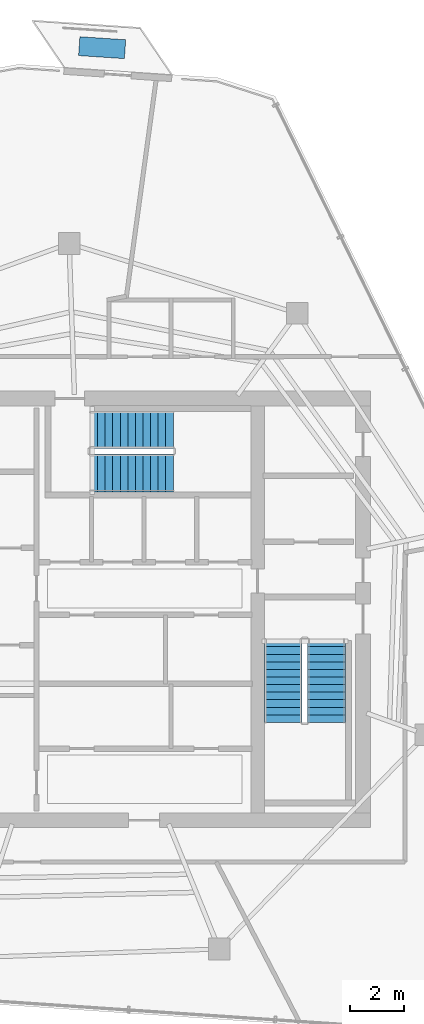
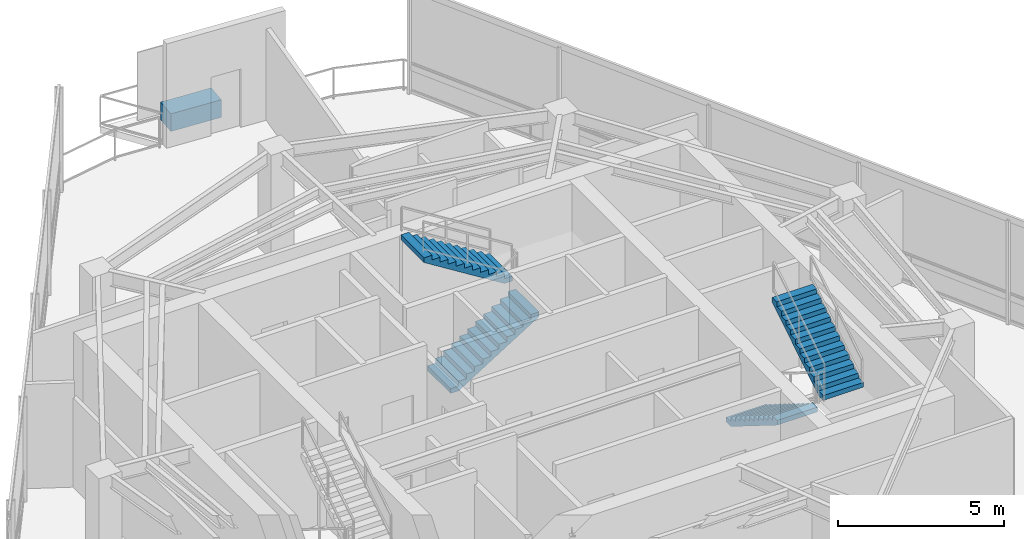
# One storey, part 16 of 18: 4 stair flights, 1 discrete accessory, 2 elements without a shape of their own.
"""IFC4 building model written with IfcOpenShell, lengths in metres."""

from ifc_helpers import new_model, si_unit, direction, frame, origin, origin_2d, place, context, subcontext, project, spatial, polyline, rectangle, outline, extrude, material, type_object, element, aggregate, save


model = new_model("IFC4")

# Units and contexts
model_context = context("Model", 3, precision=1e-05, world=origin(), true_north=direction((0.0, 1.0)))
body_context = subcontext(model_context, "Body", "Model", "MODEL_VIEW")
ifc_project = project(units=[si_unit("LENGTHUNIT", "METRE"), si_unit("AREAUNIT", "SQUARE_METRE"), si_unit("VOLUMEUNIT", "CUBIC_METRE"), si_unit("PLANEANGLEUNIT", "RADIAN"), si_unit("MASSUNIT", "GRAM", prefix="KILO")], contexts=[model_context])

# Site, building, storey
site_placement = place(None, origin())
site = spatial("IfcSite", under=ifc_project, at=site_placement, CompositionType="ELEMENT")
building_placement = place(site_placement, origin())
building = spatial("IfcBuilding", under=site, at=building_placement, Name="Qarnah Convention Tower", CompositionType="ELEMENT")
storey_placement = place(building_placement, frame((0.0, 0.0, 279.300048828125)))
storey = spatial("IfcBuildingStorey", under=building, at=storey_placement, Name="L75", CompositionType="ELEMENT", Elevation=279.300048828125)

# Stair, stair flights
ifc_material_1 = material(Name="Concrete C50/60", Category="concrete")
stair_type = type_object("IfcStairType", Name="STR-SUM", PredefinedType="HALF_TURN_STAIR", material=ifc_material_1)
stair_1_placement = place(storey_placement, origin())
stair_1 = element("IfcStair", 1, at=stair_1_placement, inside=storey, type_object=stair_type, Name="L75 Core exit stair ST-2", PredefinedType="HALF_TURN_STAIR")
stair_flight_type = type_object("IfcStairFlightType", Name="FLT-SUM", PredefinedType="STRAIGHT", material=ifc_material_1)
stair_flight_1_placement = place(storey_placement, frame((44.64990234375, 25.300048828125, 0.0), z_axis=(0.0, 0.0, 1.0), x_axis=(0.0, -1.0, 0.0)))
stair_flight_1 = element("IfcStairFlight", 2, at=stair_flight_1_placement, type_object=stair_flight_type, Name="ST-2 flight 1", NumberOfRisers=12, NumberOfTreads=11, PredefinedType="STRAIGHT", RiserHeight=0.175, TreadLength=0.28, context=body_context, shape_type="SweptSolid", body=[
    extrude(outline(polyline([(0.0, 0.0), (0.0, 0.175048828125), (0.280029296875, 0.175048828125), (0.280029296875, 0.35009765625), (0.56005859375, 0.35009765625), (0.56005859375, 0.52490234375), (0.840087890625, 0.52490234375), (0.840087890625, 0.699951171875), (1.1201171875, 0.699951171875), (1.1201171875, 0.875), (1.39990234375, 0.875), (1.39990234375, 1.050048828125), (1.679931640625, 1.050048828125), (1.679931640625, 1.22509765625), (1.9599609375, 1.22509765625), (1.9599609375, 1.39990234375), (2.239990234375, 1.39990234375), (2.239990234375, 1.574951171875), (2.52001953125, 1.574951171875), (2.52001953125, 1.75), (2.800048828125, 1.75), (2.800048828125, 1.925048828125), (3.080078125, 1.925048828125), (3.080078125, 2.10009765625), (3.080078125, 1.748291015625), (0.28271484375, 0.0), (0.0, 0.0)])), frame((0.0, 0.699951171875, 0.0), z_axis=(0.0, -1.0, 0.0), x_axis=(1.0, 0.0, 0.0)), (0.0, 0.0, 1.0), 1.39990234375),
])
stair_flight_2_placement = place(storey_placement, frame((46.25, 22.219970703125, 2.099853515625), z_axis=(0.0, 0.0, 1.0), x_axis=(0.0, 1.0, 0.0)))
stair_flight_2 = element("IfcStairFlight", 3, at=stair_flight_2_placement, type_object=stair_flight_type, Name="ST-2 flight 2", NumberOfRisers=12, NumberOfTreads=11, PredefinedType="STRAIGHT", RiserHeight=0.175, TreadLength=0.28, context=body_context, shape_type="SweptSolid", body=[
    extrude(outline(polyline([(0.0, 0.0), (0.0, 0.175048828125), (0.280029296875, 0.175048828125), (0.280029296875, 0.35009765625), (0.56005859375, 0.35009765625), (0.56005859375, 0.52490234375), (0.840087890625, 0.52490234375), (0.840087890625, 0.699951171875), (1.1201171875, 0.699951171875), (1.1201171875, 0.875), (1.39990234375, 0.875), (1.39990234375, 1.050048828125), (1.679931640625, 1.050048828125), (1.679931640625, 1.22509765625), (1.9599609375, 1.22509765625), (1.9599609375, 1.39990234375), (2.239990234375, 1.39990234375), (2.239990234375, 1.574951171875), (2.52001953125, 1.574951171875), (2.52001953125, 1.75), (2.800048828125, 1.75), (2.800048828125, 1.925048828125), (3.080078125, 1.925048828125), (3.080078125, 2.10009765625), (3.080078125, 1.748291015625), (0.28271484375, 0.0), (0.0, 0.0)])), frame((0.0, 0.699951171875, 0.0), z_axis=(0.0, -1.0, 0.0), x_axis=(1.0, 0.0, 0.0)), (0.0, 0.0, 1.0), 1.39990234375),
])
aggregate(stair_1, [stair_flight_1, stair_flight_2])

stair_2_placement = place(storey_placement, origin())
stair_2 = element("IfcStair", 4, at=stair_2_placement, inside=storey, type_object=stair_type, Name="L75 Core exit stair ST-3", PredefinedType="HALF_TURN_STAIR")
stair_flight_3_placement = place(storey_placement, frame((37.5, 31.449951171875, 0.0), z_axis=(0.0, 0.0, 1.0), x_axis=(1.0, 0.0, 0.0)))
stair_flight_3 = element("IfcStairFlight", 5, at=stair_flight_3_placement, type_object=stair_flight_type, Name="ST-3 flight 1", NumberOfRisers=12, NumberOfTreads=11, PredefinedType="STRAIGHT", RiserHeight=0.175, TreadLength=0.28, context=body_context, shape_type="SweptSolid", body=[
    extrude(outline(polyline([(0.0, 0.0), (0.0, 0.175048828125), (0.280029296875, 0.175048828125), (0.280029296875, 0.35009765625), (0.56005859375, 0.35009765625), (0.56005859375, 0.52490234375), (0.840087890625, 0.52490234375), (0.840087890625, 0.699951171875), (1.1201171875, 0.699951171875), (1.1201171875, 0.875), (1.39990234375, 0.875), (1.39990234375, 1.050048828125), (1.679931640625, 1.050048828125), (1.679931640625, 1.22509765625), (1.9599609375, 1.22509765625), (1.9599609375, 1.39990234375), (2.239990234375, 1.39990234375), (2.239990234375, 1.574951171875), (2.52001953125, 1.574951171875), (2.52001953125, 1.75), (2.800048828125, 1.75), (2.800048828125, 1.925048828125), (3.080078125, 1.925048828125), (3.080078125, 2.10009765625), (3.080078125, 1.748291015625), (0.28271484375, 0.0), (0.0, 0.0)])), frame((0.0, 0.699951171875, 0.0), z_axis=(0.0, -1.0, 0.0), x_axis=(1.0, 0.0, 0.0)), (0.0, 0.0, 1.0), 1.39990234375),
])
stair_flight_4_placement = place(storey_placement, frame((40.580078125, 33.050048828125, 2.099853515625), z_axis=(0.0, 0.0, 1.0), x_axis=(-1.0, 0.0, 0.0)))
stair_flight_4 = element("IfcStairFlight", 6, at=stair_flight_4_placement, type_object=stair_flight_type, Name="ST-3 flight 2", NumberOfRisers=12, NumberOfTreads=11, PredefinedType="STRAIGHT", RiserHeight=0.175, TreadLength=0.28, context=body_context, shape_type="SweptSolid", body=[
    extrude(outline(polyline([(0.0, 0.0), (0.0, 0.175048828125), (0.280029296875, 0.175048828125), (0.280029296875, 0.35009765625), (0.56005859375, 0.35009765625), (0.56005859375, 0.52490234375), (0.840087890625, 0.52490234375), (0.840087890625, 0.699951171875), (1.1201171875, 0.699951171875), (1.1201171875, 0.875), (1.39990234375, 0.875), (1.39990234375, 1.050048828125), (1.679931640625, 1.050048828125), (1.679931640625, 1.22509765625), (1.9599609375, 1.22509765625), (1.9599609375, 1.39990234375), (2.239990234375, 1.39990234375), (2.239990234375, 1.574951171875), (2.52001953125, 1.574951171875), (2.52001953125, 1.75), (2.800048828125, 1.75), (2.800048828125, 1.925048828125), (3.080078125, 1.925048828125), (3.080078125, 2.10009765625), (3.080078125, 1.748291015625), (0.28271484375, 0.0), (0.0, 0.0)])), frame((0.0, 0.699951171875, 0.0), z_axis=(0.0, -1.0, 0.0), x_axis=(1.0, 0.0, 0.0)), (0.0, 0.0, 1.0), 1.39990234375),
])
aggregate(stair_2, [stair_flight_3, stair_flight_4])

# Discrete accessory
ifc_material_2 = material(Name="Precast concrete C45/55", Category="concrete")
discrete_accessory_type = type_object("IfcDiscreteAccessoryType", Name="ACC-PLANTER-900", PredefinedType="USERDEFINED", material=ifc_material_2)
discrete_accessory_placement = place(storey_placement, frame((37.948974609375, 47.18603515625, 0.0), z_axis=(0.0, 0.0, 1.0), x_axis=(-0.997754957227, 0.066970481029, 0.0)))
element("IfcDiscreteAccessory", 7, at=discrete_accessory_placement, inside=storey, type_object=discrete_accessory_type, Name="L75 irrigated desert balcony PLANTER BAL-L75-C1", ObjectType="PLANTER", PredefinedType="USERDEFINED", context=body_context, shape_type="SweptSolid", body=[
    extrude(rectangle(XDim=1.699951171875, YDim=0.699951171875, at=origin_2d()), origin(), (0.0, 0.0, 1.0), 0.64990234375),
])

save(model, "model.ifc")
